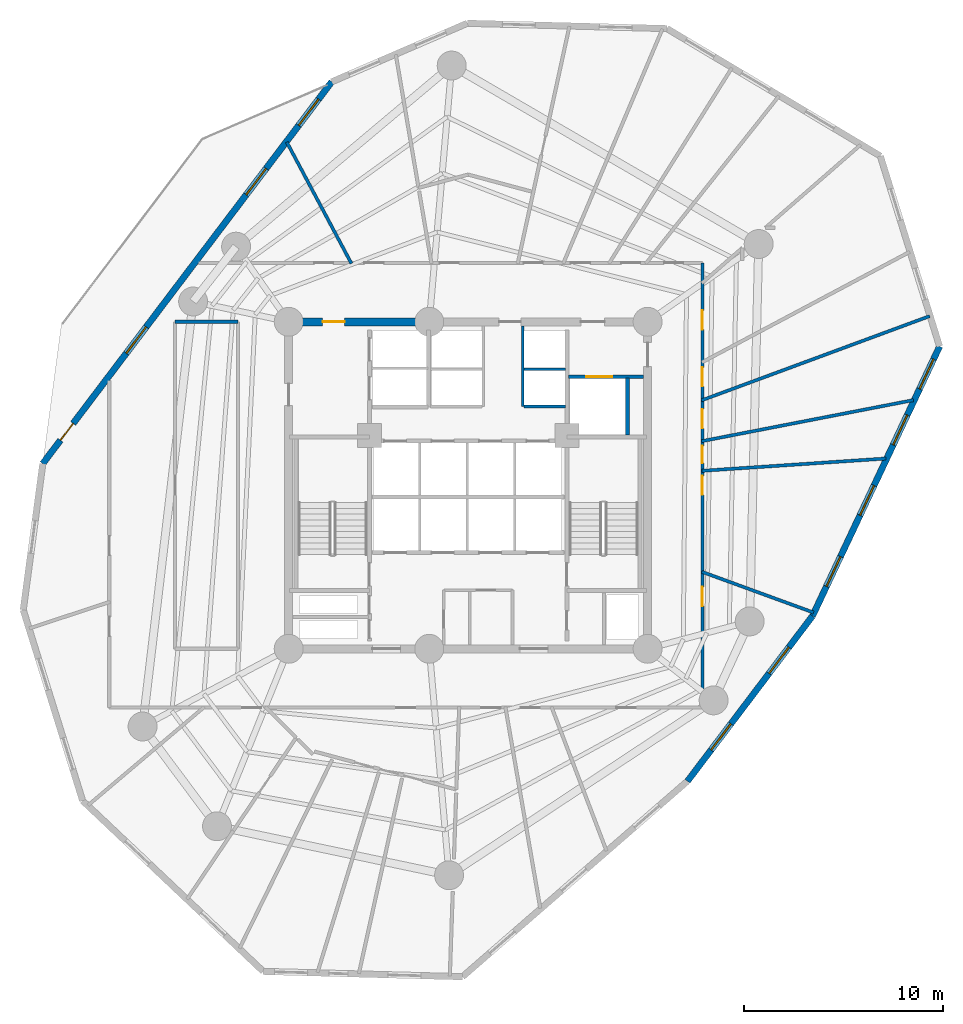
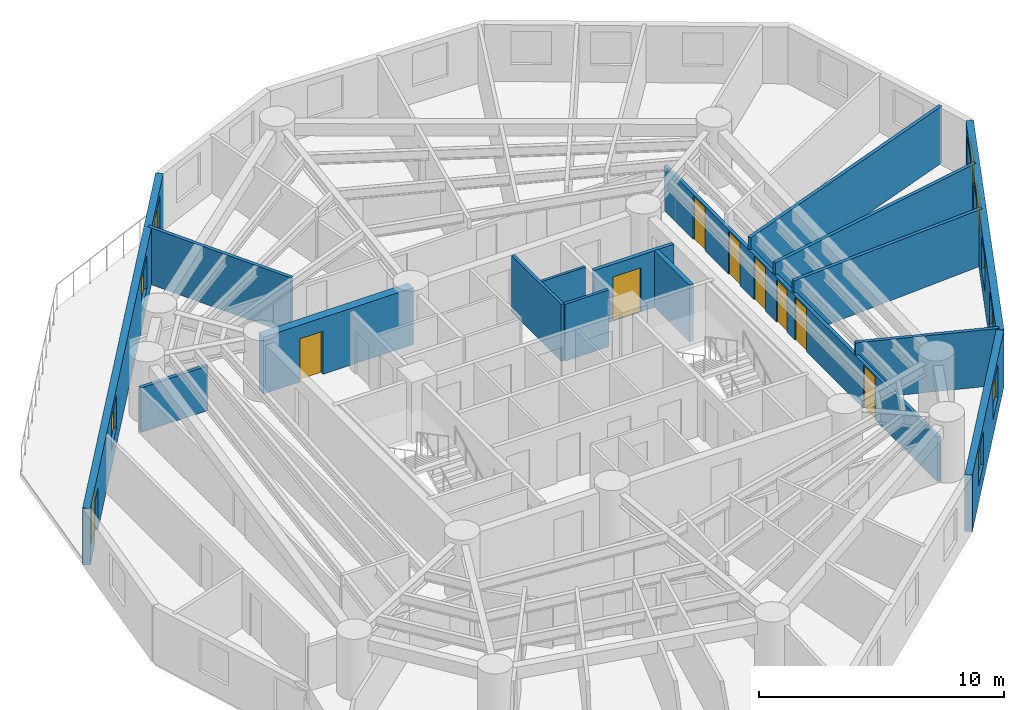
# One storey, part 5 of 9: 16 walls, 9 doors, 9 windows, 18 openings.
"""IFC4 building model written with IfcOpenShell, lengths in metres."""

from ifc_helpers import new_model, si_unit, direction, frame, frame_2d, origin, origin_with_axes, place, context, subcontext, project, spatial, rectangle, extrude, source, transform, mapped, material, layer, layer_set, type_object, element, fill, save


model = new_model("IFC4")

# Units and contexts
model_context = context("Model", 3, precision=1e-05, world=origin(), true_north=direction((0.0, 1.0)))
body_context = subcontext(model_context, "Body", "Model", "MODEL_VIEW")
ifc_project = project(units=[si_unit("LENGTHUNIT", "METRE"), si_unit("AREAUNIT", "SQUARE_METRE"), si_unit("VOLUMEUNIT", "CUBIC_METRE"), si_unit("PLANEANGLEUNIT", "RADIAN"), si_unit("MASSUNIT", "GRAM", prefix="KILO")], contexts=[model_context])

# Site, building, storey
site_placement = place(None, origin())
site = spatial("IfcSite", under=ifc_project, at=site_placement, CompositionType="ELEMENT")
building_placement = place(site_placement, origin())
building = spatial("IfcBuilding", under=site, at=building_placement, Name="Karkom Vertical University and Central Library", CompositionType="ELEMENT")
storey_placement = place(building_placement, frame((0.0, 0.0, 96.199951171875)))
storey = spatial("IfcBuildingStorey", under=building, at=storey_placement, Name="L25", CompositionType="ELEMENT", Elevation=96.199951171875)

# Wall, openings, windows
ifc_material_1 = material(Name="Brick-faced precast concrete C45/55", Category="masonry")
ifc_layer_1 = layer(ifc_material_1, 0.320068359375)
ifc_layer_set_1 = layer_set([ifc_layer_1], Name="Brick-faced precast concrete C45/55")
wall_type_1 = type_object("IfcWallType", Name="ENV-WL-BRK-320", PredefinedType="SOLIDWALL", material=ifc_layer_set_1)
wall_1_placement = place(storey_placement, frame((39.49951171875, 11.658203125, 0.0), z_axis=(0.0, 0.0, 1.0), x_axis=(0.603493536032, 0.797367889978, 0.0)))
wall_1 = element("IfcWall", 1, at=wall_1_placement, inside=storey, type_object=wall_type_1, Name="Level 25 Brick-Faced Precast Facade Wall 06", PredefinedType="SOLIDWALL", context=body_context, shape_type="SweptSolid", body=[
    extrude(rectangle(XDim=10.392822265625, YDim=0.320068359375, at=frame_2d((5.1962890625, 0.0))), origin(), (0.0, 0.0, 1.0), 2.824951171875),
])
opening_1_placement = place(wall_1_placement, frame((1.963134765625, 0.0, 0.85009765625)))
opening_1 = element("IfcOpeningElement", 2, at=opening_1_placement, cuts=wall_1, Name="Opening WN-06", PredefinedType="OPENING", context=body_context, shape_type="SweptSolid", body=[
    extrude(rectangle(XDim=1.64990234375, YDim=1.64990234375, at=frame_2d((0.824951171875, 0.824951171875))), frame((0.0, 0.169921875, 0.0), z_axis=(0.0, -1.0, 0.0), x_axis=(1.0, 0.0, 0.0)), (0.0, 0.0, 1.0), 0.340087890625),
])
opening_2_placement = place(wall_1_placement, frame((6.779541015625, 0.0, 0.85009765625)))
opening_2 = element("IfcOpeningElement", 3, at=opening_2_placement, cuts=wall_1, Name="Opening WN-06", PredefinedType="OPENING", context=body_context, shape_type="SweptSolid", body=[
    extrude(rectangle(XDim=1.64990234375, YDim=1.64990234375, at=frame_2d((0.824951171875, 0.824951171875))), frame((0.0, 0.169921875, 0.0), z_axis=(0.0, -1.0, 0.0), x_axis=(1.0, 0.0, 0.0)), (0.0, 0.0, 1.0), 0.340087890625),
])
ifc_material_2 = material(Name="Aluminium thermal-break frame with solar-control IGU", Category="aluminium")
window_type = type_object("IfcWindowType", Name="ENV-WIN-WN-06", PartitioningType="SINGLE_PANEL", PredefinedType="WINDOW", material=ifc_material_2)
shared_shape_1 = source(origin_with_axes(), body_context, "Body", "SweptSolid", [
    extrude(rectangle(XDim=1.64990234375, YDim=1.64990234375, at=frame_2d((0.824951171875, 0.824951171875))), frame((0.0, 0.030029296875, 0.0), z_axis=(0.0, -1.0, 0.0), x_axis=(1.0, 0.0, 0.0)), (0.0, 0.0, 1.0), 0.06005859375),
])
window_1_placement = place(opening_1_placement, origin())
window_1 = element("IfcWindow", 4, at=window_1_placement, inside=storey, type_object=window_type, Name="Level 25 Punched Window 6.1", OverallHeight=1.64990234375, OverallWidth=1.64990234375, PartitioningType="SINGLE_PANEL", PredefinedType="WINDOW", context=body_context, shape_type="MappedRepresentation", body=[
    mapped(shared_shape_1, transform((0.0, 0.0, 0.0), scale=1.0)),
])
fill(opening_1, window_1)
window_2_placement = place(opening_2_placement, origin())
window_2 = element("IfcWindow", 5, at=window_2_placement, inside=storey, type_object=window_type, Name="Level 25 Punched Window 6.2", OverallHeight=1.64990234375, OverallWidth=1.64990234375, PartitioningType="SINGLE_PANEL", PredefinedType="WINDOW", context=body_context, shape_type="MappedRepresentation", body=[
    mapped(shared_shape_1, transform((0.0, 0.0, 0.0), scale=1.0)),
])
fill(opening_2, window_2)

wall_2_placement = place(storey_placement, frame((45.771484375, 19.945068359375, 0.0), z_axis=(0.0, 0.0, 1.0), x_axis=(0.426458361985, 0.904507194827, 0.0)))
wall_2 = element("IfcWall", 6, at=wall_2_placement, inside=storey, type_object=wall_type_1, Name="Level 25 Brick-Faced Precast Facade Wall 07", PredefinedType="SOLIDWALL", context=body_context, shape_type="SweptSolid", body=[
    extrude(rectangle(XDim=14.94921875, YDim=0.320068359375, at=frame_2d((7.474609375, 0.0))), origin(), (0.0, 0.0, 1.0), 2.824951171875),
])
opening_3_placement = place(wall_2_placement, frame((1.641357421875, 0.0, 0.85009765625)))
opening_3 = element("IfcOpeningElement", 7, at=opening_3_placement, cuts=wall_2, Name="Opening WN-06", PredefinedType="OPENING", context=body_context, shape_type="SweptSolid", body=[
    extrude(rectangle(XDim=1.64990234375, YDim=1.64990234375, at=frame_2d((0.824951171875, 0.824951171875))), frame((0.0, 0.169921875, 0.0), z_axis=(0.0, -1.0, 0.0), x_axis=(1.0, 0.0, 0.0)), (0.0, 0.0, 1.0), 0.340087890625),
])
opening_4_placement = place(wall_2_placement, frame((5.583740234375, 0.0, 0.85009765625)))
opening_4 = element("IfcOpeningElement", 8, at=opening_4_placement, cuts=wall_2, Name="Opening WN-06", PredefinedType="OPENING", context=body_context, shape_type="SweptSolid", body=[
    extrude(rectangle(XDim=1.64990234375, YDim=1.64990234375, at=frame_2d((0.824951171875, 0.824951171875))), frame((0.0, 0.169921875, 0.0), z_axis=(0.0, -1.0, 0.0), x_axis=(1.0, 0.0, 0.0)), (0.0, 0.0, 1.0), 0.340087890625),
])
opening_5_placement = place(wall_2_placement, frame((9.491455078125, 0.0, 0.85009765625)))
opening_5 = element("IfcOpeningElement", 9, at=opening_5_placement, cuts=wall_2, Name="Opening WN-06", PredefinedType="OPENING", context=body_context, shape_type="SweptSolid", body=[
    extrude(rectangle(XDim=1.64990234375, YDim=1.64990234375, at=frame_2d((0.824951171875, 0.824951171875))), frame((0.0, 0.169921875, 0.0), z_axis=(0.0, -1.0, 0.0), x_axis=(1.0, 0.0, 0.0)), (0.0, 0.0, 1.0), 0.340087890625),
])
opening_6_placement = place(wall_2_placement, frame((12.586181640625, 0.0, 0.85009765625)))
opening_6 = element("IfcOpeningElement", 10, at=opening_6_placement, cuts=wall_2, Name="Opening WN-06", PredefinedType="OPENING", context=body_context, shape_type="SweptSolid", body=[
    extrude(rectangle(XDim=1.64990234375, YDim=1.64990234375, at=frame_2d((0.824951171875, 0.824951171875))), frame((0.0, 0.169921875, 0.0), z_axis=(0.0, -1.0, 0.0), x_axis=(1.0, 0.0, 0.0)), (0.0, 0.0, 1.0), 0.340087890625),
])
window_3_placement = place(opening_3_placement, origin())
window_3 = element("IfcWindow", 11, at=window_3_placement, inside=storey, type_object=window_type, Name="Level 25 Punched Window 7.1", OverallHeight=1.64990234375, OverallWidth=1.64990234375, PartitioningType="SINGLE_PANEL", PredefinedType="WINDOW", context=body_context, shape_type="MappedRepresentation", body=[
    mapped(shared_shape_1, transform((0.0, 0.0, 0.0), scale=1.0)),
])
fill(opening_3, window_3)
window_4_placement = place(opening_4_placement, origin())
window_4 = element("IfcWindow", 12, at=window_4_placement, inside=storey, type_object=window_type, Name="Level 25 Punched Window 7.2", OverallHeight=1.64990234375, OverallWidth=1.64990234375, PartitioningType="SINGLE_PANEL", PredefinedType="WINDOW", context=body_context, shape_type="MappedRepresentation", body=[
    mapped(shared_shape_1, transform((0.0, 0.0, 0.0), scale=1.0)),
])
fill(opening_4, window_4)
window_5_placement = place(opening_5_placement, origin())
window_5 = element("IfcWindow", 13, at=window_5_placement, inside=storey, type_object=window_type, Name="Level 25 Punched Window 7.3", OverallHeight=1.64990234375, OverallWidth=1.64990234375, PartitioningType="SINGLE_PANEL", PredefinedType="WINDOW", context=body_context, shape_type="MappedRepresentation", body=[
    mapped(shared_shape_1, transform((0.0, 0.0, 0.0), scale=1.0)),
])
fill(opening_5, window_5)
window_6_placement = place(opening_6_placement, origin())
window_6 = element("IfcWindow", 14, at=window_6_placement, inside=storey, type_object=window_type, Name="Level 25 Punched Window 7.4", OverallHeight=1.64990234375, OverallWidth=1.64990234375, PartitioningType="SINGLE_PANEL", PredefinedType="WINDOW", context=body_context, shape_type="MappedRepresentation", body=[
    mapped(shared_shape_1, transform((0.0, 0.0, 0.0), scale=1.0)),
])
fill(opening_6, window_6)

# Wall, openings, door, windows
wall_3_placement = place(storey_placement, frame((21.660400390625, 46.739501953125, 0.0), z_axis=(0.0, 0.0, 1.0), x_axis=(-0.603487207486, -0.797372679743, 0.0)))
wall_3 = element("IfcWall", 15, at=wall_3_placement, inside=storey, type_object=wall_type_1, Name="Level 25 Brick-Faced Precast Facade Wall 12", PredefinedType="SOLIDWALL", context=body_context, shape_type="SweptSolid", body=[
    extrude(rectangle(XDim=24.021728515625, YDim=0.320068359375, at=frame_2d((12.0107421875, 0.0))), origin(), (0.0, 0.0, 1.0), 2.824951171875),
])
opening_7_placement = place(wall_3_placement, frame((1.101318359375, 0.0, 0.85009765625)))
opening_7 = element("IfcOpeningElement", 16, at=opening_7_placement, cuts=wall_3, Name="Opening WN-06", PredefinedType="OPENING", context=body_context, shape_type="SweptSolid", body=[
    extrude(rectangle(XDim=1.64990234375, YDim=1.64990234375, at=frame_2d((0.824951171875, 0.824951171875))), frame((0.0, 0.169921875, 0.0), z_axis=(0.0, -1.0, 0.0), x_axis=(1.0, 0.0, 0.0)), (0.0, 0.0, 1.0), 0.340087890625),
])
opening_8_placement = place(wall_3_placement, frame((5.4619140625, 0.0, 0.85009765625)))
opening_8 = element("IfcOpeningElement", 17, at=opening_8_placement, cuts=wall_3, Name="Opening WN-06", PredefinedType="OPENING", context=body_context, shape_type="SweptSolid", body=[
    extrude(rectangle(XDim=1.64990234375, YDim=1.64990234375, at=frame_2d((0.824951171875, 0.824951171875))), frame((0.0, 0.169921875, 0.0), z_axis=(0.0, -1.0, 0.0), x_axis=(1.0, 0.0, 0.0)), (0.0, 0.0, 1.0), 0.340087890625),
])
opening_9_placement = place(wall_3_placement, frame((15.427001953125, 0.0, 0.85009765625)))
opening_9 = element("IfcOpeningElement", 18, at=opening_9_placement, cuts=wall_3, Name="Opening WN-06", PredefinedType="OPENING", context=body_context, shape_type="SweptSolid", body=[
    extrude(rectangle(XDim=1.64990234375, YDim=1.64990234375, at=frame_2d((0.824951171875, 0.824951171875))), frame((0.0, 0.169921875, 0.0), z_axis=(0.0, -1.0, 0.0), x_axis=(1.0, 0.0, 0.0)), (0.0, 0.0, 1.0), 0.340087890625),
])
opening_10_placement = place(wall_3_placement, frame((21.4951171875, 0.0, 0.0)))
opening_10 = element("IfcOpeningElement", 19, at=opening_10_placement, cuts=wall_3, Name="Opening TD-1", PredefinedType="OPENING", context=body_context, shape_type="SweptSolid", body=[
    extrude(rectangle(XDim=1.050048828125, YDim=2.1201171875, at=frame_2d((0.52490234375, 1.06005859375))), frame((0.0, 0.169921875, 0.0), z_axis=(0.0, -1.0, 0.0), x_axis=(1.0, 0.0, 0.0)), (0.0, 0.0, 1.0), 0.340087890625),
])
ifc_material_3 = material(Name="Thermally broken glazed aluminium terrace door", Category="aluminium")
door_type_1 = type_object("IfcDoorType", Name="ENV-DR-TERR", OperationType="NOTDEFINED", PredefinedType="DOOR", material=ifc_material_3)
shared_shape_2 = source(origin_with_axes(), body_context, "Body", "SweptSolid", [
    extrude(rectangle(XDim=1.050048828125, YDim=2.1201171875, at=frame_2d((0.52490234375, 1.06005859375))), frame((0.0, 0.02490234375, 0.0), z_axis=(0.0, -1.0, 0.0), x_axis=(1.0, 0.0, 0.0)), (0.0, 0.0, 1.0), 0.050048828125),
])
door_1_placement = place(opening_10_placement, origin())
door_1 = element("IfcDoor", 20, at=door_1_placement, inside=storey, type_object=door_type_1, Name="Level 25 Outdoor Terrace Access Door", OperationType="SINGLE_SWING_RIGHT", OverallHeight=2.1201171875, OverallWidth=1.050048828125, PredefinedType="DOOR", context=body_context, shape_type="MappedRepresentation", body=[
    mapped(shared_shape_2, transform((0.0, 0.0, 0.0), scale=1.0)),
])
fill(opening_10, door_1)
window_7_placement = place(opening_7_placement, origin())
window_7 = element("IfcWindow", 21, at=window_7_placement, inside=storey, type_object=window_type, Name="Level 25 Punched Window 12.1", OverallHeight=1.64990234375, OverallWidth=1.64990234375, PartitioningType="SINGLE_PANEL", PredefinedType="WINDOW", context=body_context, shape_type="MappedRepresentation", body=[
    mapped(shared_shape_1, transform((0.0, 0.0, 0.0), scale=1.0)),
])
fill(opening_7, window_7)
window_8_placement = place(opening_8_placement, origin())
window_8 = element("IfcWindow", 22, at=window_8_placement, inside=storey, type_object=window_type, Name="Level 25 Punched Window 12.2", OverallHeight=1.64990234375, OverallWidth=1.64990234375, PartitioningType="SINGLE_PANEL", PredefinedType="WINDOW", context=body_context, shape_type="MappedRepresentation", body=[
    mapped(shared_shape_1, transform((0.0, 0.0, 0.0), scale=1.0)),
])
fill(opening_8, window_8)
window_9_placement = place(opening_9_placement, origin())
window_9 = element("IfcWindow", 23, at=window_9_placement, inside=storey, type_object=window_type, Name="Level 25 Punched Window 12.3", OverallHeight=1.64990234375, OverallWidth=1.64990234375, PartitioningType="SINGLE_PANEL", PredefinedType="WINDOW", context=body_context, shape_type="MappedRepresentation", body=[
    mapped(shared_shape_1, transform((0.0, 0.0, 0.0), scale=1.0)),
])
fill(opening_9, window_9)

# Wall, openings, doors
ifc_material_4 = material(Name="Insulated metal-stud drywall 160mm", Category="gypsum")
ifc_layer_2 = layer(ifc_material_4, 0.159912109375)
ifc_layer_set_2 = layer_set([ifc_layer_2], Name="Insulated metal-stud drywall 160mm")
wall_type_2 = type_object("IfcWallType", Name="INT-WL-COR-160", PredefinedType="PARTITIONING", material=ifc_layer_set_2)
wall_4_placement = place(storey_placement, frame((40.25, 37.64990234375, 0.0), z_axis=(0.0, 0.0, 1.0), x_axis=(0.0, -1.0, 0.0)))
wall_4 = element("IfcWall", 24, at=wall_4_placement, inside=storey, type_object=wall_type_2, Name="Level 25 Interior Partition Wall L25-CORW-CW-004", PredefinedType="PARTITIONING", context=body_context, shape_type="SweptSolid", body=[
    extrude(rectangle(XDim=22.2998046875, YDim=0.159912109375, at=frame_2d((11.14990234375, 0.0))), origin(), (0.0, 0.0, 1.0), 2.22509765625),
])
opening_11_placement = place(wall_4_placement, frame((16.25, 0.0, 0.0)))
opening_11 = element("IfcOpeningElement", 25, at=opening_11_placement, cuts=wall_4, Name="Opening FD-RM2", PredefinedType="OPENING", context=body_context, shape_type="SweptSolid", body=[
    extrude(rectangle(XDim=0.9599609375, YDim=2.14990234375, at=frame_2d((0.47998046875, 1.074951171875))), frame((0.0, 0.08984375, 0.0), z_axis=(0.0, -1.0, 0.0), x_axis=(1.0, 0.0, 0.0)), (0.0, 0.0, 1.0), 0.179931640625),
])
opening_12_placement = place(wall_4_placement, frame((10.675048828125, 0.0, 0.0)))
opening_12 = element("IfcOpeningElement", 26, at=opening_12_placement, cuts=wall_4, Name="Opening D-RM1", PredefinedType="OPENING", context=body_context, shape_type="SweptSolid", body=[
    extrude(rectangle(XDim=0.949951171875, YDim=2.14990234375, at=frame_2d((0.47509765625, 1.074951171875))), frame((0.0, 0.08984375, 0.0), z_axis=(0.0, -1.0, 0.0), x_axis=(1.0, 0.0, 0.0)), (0.0, 0.0, 1.0), 0.179931640625),
])
opening_13_placement = place(wall_4_placement, frame((9.176513671875, 0.0, 0.0)))
opening_13 = element("IfcOpeningElement", 27, at=opening_13_placement, cuts=wall_4, Name="Opening FD-BTH1", PredefinedType="OPENING", context=body_context, shape_type="SweptSolid", body=[
    extrude(rectangle(XDim=0.860107421875, YDim=2.10009765625, at=frame_2d((0.43017578125, 1.050048828125))), frame((0.0, 0.08984375, 0.0), z_axis=(0.0, -1.0, 0.0), x_axis=(1.0, 0.0, 0.0)), (0.0, 0.0, 1.0), 0.179931640625),
])
opening_14_placement = place(wall_4_placement, frame((7.330078125, 0.0, 0.0)))
opening_14 = element("IfcOpeningElement", 28, at=opening_14_placement, cuts=wall_4, Name="Opening FD-RM2", PredefinedType="OPENING", context=body_context, shape_type="SweptSolid", body=[
    extrude(rectangle(XDim=0.9599609375, YDim=2.14990234375, at=frame_2d((0.47998046875, 1.074951171875))), frame((0.0, 0.08984375, 0.0), z_axis=(0.0, -1.0, 0.0), x_axis=(1.0, 0.0, 0.0)), (0.0, 0.0, 1.0), 0.179931640625),
])
opening_15_placement = place(wall_4_placement, frame((5.239990234375, 0.0, 0.0)))
opening_15 = element("IfcOpeningElement", 29, at=opening_15_placement, cuts=wall_4, Name="Opening D-RM1", PredefinedType="OPENING", context=body_context, shape_type="SweptSolid", body=[
    extrude(rectangle(XDim=0.949951171875, YDim=2.14990234375, at=frame_2d((0.47509765625, 1.074951171875))), frame((0.0, 0.08984375, 0.0), z_axis=(0.0, -1.0, 0.0), x_axis=(1.0, 0.0, 0.0)), (0.0, 0.0, 1.0), 0.179931640625),
])
opening_16_placement = place(wall_4_placement, frame((2.3798828125, 0.0, 0.0)))
opening_16 = element("IfcOpeningElement", 30, at=opening_16_placement, cuts=wall_4, Name="Opening FD-RM2", PredefinedType="OPENING", context=body_context, shape_type="SweptSolid", body=[
    extrude(rectangle(XDim=0.9599609375, YDim=2.14990234375, at=frame_2d((0.47998046875, 1.074951171875))), frame((0.0, 0.08984375, 0.0), z_axis=(0.0, -1.0, 0.0), x_axis=(1.0, 0.0, 0.0)), (0.0, 0.0, 1.0), 0.179931640625),
])
ifc_material_5 = material(Name="Fire-rated oak veneer door", Category="wood")
door_type_2 = type_object("IfcDoorType", Name="INT-DR-FRM2", OperationType="NOTDEFINED", PredefinedType="DOOR", material=ifc_material_5)
shared_shape_3 = source(origin_with_axes(), body_context, "Body", "SweptSolid", [
    extrude(rectangle(XDim=0.9599609375, YDim=2.14990234375, at=frame_2d((0.47998046875, 1.074951171875))), frame((0.0, 0.02490234375, 0.0), z_axis=(0.0, -1.0, 0.0), x_axis=(1.0, 0.0, 0.0)), (0.0, 0.0, 1.0), 0.050048828125),
])
door_2_placement = place(opening_11_placement, origin())
door_2 = element("IfcDoor", 31, at=door_2_placement, inside=storey, type_object=door_type_2, Name="Level 25 Room Entry Door 110", OperationType="SINGLE_SWING_RIGHT", OverallHeight=2.14990234375, OverallWidth=0.9599609375, PredefinedType="DOOR", context=body_context, shape_type="MappedRepresentation", body=[
    mapped(shared_shape_3, transform((0.0, 0.0, 0.0), scale=1.0)),
])
fill(opening_11, door_2)
door_3_placement = place(opening_14_placement, origin())
door_3 = element("IfcDoor", 32, at=door_3_placement, inside=storey, type_object=door_type_2, Name="Level 25 Room Entry Door 140", OperationType="SINGLE_SWING_LEFT", OverallHeight=2.14990234375, OverallWidth=0.9599609375, PredefinedType="DOOR", context=body_context, shape_type="MappedRepresentation", body=[
    mapped(shared_shape_3, transform((0.0, 0.0, 0.0), scale=1.0)),
])
fill(opening_14, door_3)
door_4_placement = place(opening_16_placement, origin())
door_4 = element("IfcDoor", 33, at=door_4_placement, inside=storey, type_object=door_type_2, Name="Level 25 Room Entry Door 160", OperationType="SINGLE_SWING_LEFT", OverallHeight=2.14990234375, OverallWidth=0.9599609375, PredefinedType="DOOR", context=body_context, shape_type="MappedRepresentation", body=[
    mapped(shared_shape_3, transform((0.0, 0.0, 0.0), scale=1.0)),
])
fill(opening_16, door_4)
ifc_material_6 = material(Name="Fire-rated moisture-resistant oak door", Category="wood")
door_type_3 = type_object("IfcDoorType", Name="INT-DR-FBTH1", OperationType="NOTDEFINED", PredefinedType="DOOR", material=ifc_material_6)
shared_shape_4 = source(origin_with_axes(), body_context, "Body", "SweptSolid", [
    extrude(rectangle(XDim=0.860107421875, YDim=2.10009765625, at=frame_2d((0.43017578125, 1.050048828125))), frame((0.0, 0.02490234375, 0.0), z_axis=(0.0, -1.0, 0.0), x_axis=(1.0, 0.0, 0.0)), (0.0, 0.0, 1.0), 0.050048828125),
])
door_5_placement = place(opening_13_placement, origin())
door_5 = element("IfcDoor", 34, at=door_5_placement, inside=storey, type_object=door_type_3, Name="Level 25 Room Entry Door 130", OperationType="SINGLE_SWING_RIGHT", OverallHeight=2.10009765625, OverallWidth=0.860107421875, PredefinedType="DOOR", context=body_context, shape_type="MappedRepresentation", body=[
    mapped(shared_shape_4, transform((0.0, 0.0, 0.0), scale=1.0)),
])
fill(opening_13, door_5)
ifc_material_7 = material(Name="Solid-core oak veneer door", Category="wood")
door_type_4 = type_object("IfcDoorType", Name="INT-DR-RM1", OperationType="NOTDEFINED", PredefinedType="DOOR", material=ifc_material_7)
shared_shape_5 = source(origin_with_axes(), body_context, "Body", "SweptSolid", [
    extrude(rectangle(XDim=0.949951171875, YDim=2.14990234375, at=frame_2d((0.47509765625, 1.074951171875))), frame((0.0, 0.02490234375, 0.0), z_axis=(0.0, -1.0, 0.0), x_axis=(1.0, 0.0, 0.0)), (0.0, 0.0, 1.0), 0.050048828125),
])
door_6_placement = place(opening_12_placement, origin())
door_6 = element("IfcDoor", 35, at=door_6_placement, inside=storey, type_object=door_type_4, Name="Level 25 Room Entry Door 120", OperationType="SINGLE_SWING_LEFT", OverallHeight=2.14990234375, OverallWidth=0.949951171875, PredefinedType="DOOR", context=body_context, shape_type="MappedRepresentation", body=[
    mapped(shared_shape_5, transform((0.0, 0.0, 0.0), scale=1.0)),
])
fill(opening_12, door_6)
door_7_placement = place(opening_15_placement, origin())
door_7 = element("IfcDoor", 36, at=door_7_placement, inside=storey, type_object=door_type_4, Name="Level 25 Room Entry Door 150", OperationType="SINGLE_SWING_RIGHT", OverallHeight=2.14990234375, OverallWidth=0.949951171875, PredefinedType="DOOR", context=body_context, shape_type="MappedRepresentation", body=[
    mapped(shared_shape_5, transform((0.0, 0.0, 0.0), scale=1.0)),
])
fill(opening_15, door_7)

# Walls
wall_5_placement = place(storey_placement, frame((40.207763671875, 30.76025390625, 0.0), z_axis=(0.0, 0.0, 1.0), x_axis=(0.938056038408, 0.346483576533, 0.0)))
element("IfcWall", 37, at=wall_5_placement, inside=storey, type_object=wall_type_2, Name="Level 25 Interior Partition Wall L25-PW-021", PredefinedType="PARTITIONING", context=body_context, shape_type="SweptSolid", body=[
    extrude(rectangle(XDim=12.195556640625, YDim=0.159912109375, at=frame_2d((6.09765625, 0.0))), origin(), (0.0, 0.0, 1.0), 2.824951171875),
])
wall_6_placement = place(storey_placement, frame((40.205810546875, 28.71044921875, 0.0), z_axis=(0.0, 0.0, 1.0), x_axis=(0.981681749556, 0.190528062468, 0.0)))
element("IfcWall", 38, at=wall_6_placement, inside=storey, type_object=wall_type_2, Name="Level 25 Interior Partition Wall L25-PW-020", PredefinedType="PARTITIONING", context=body_context, shape_type="SweptSolid", body=[
    extrude(rectangle(XDim=10.82763671875, YDim=0.159912109375, at=frame_2d((5.413818359375, 0.0))), origin(), (0.0, 0.0, 1.0), 2.824951171875),
])
wall_7_placement = place(storey_placement, frame((40.22021484375, 27.224853515625, 0.0), z_axis=(0.0, 0.0, 1.0), x_axis=(0.997763638744, 0.066841014355, 0.0)))
element("IfcWall", 39, at=wall_7_placement, inside=storey, type_object=wall_type_2, Name="Level 25 Interior Partition Wall L25-PW-019", PredefinedType="PARTITIONING", context=body_context, shape_type="SweptSolid", body=[
    extrude(rectangle(XDim=9.25927734375, YDim=0.159912109375, at=frame_2d((4.629638671875, 0.0))), origin(), (0.0, 0.0, 1.0), 2.824951171875),
])
wall_8_placement = place(storey_placement, frame((22.645263671875, 37.62353515625, 0.0), z_axis=(0.0, 0.0, 1.0), x_axis=(-0.469987058367, 0.882673305911, 0.0)))
element("IfcWall", 40, at=wall_8_placement, inside=storey, type_object=wall_type_2, Name="Level 25 Interior Partition Wall L25-PW-035", PredefinedType="PARTITIONING", context=body_context, shape_type="SweptSolid", body=[
    extrude(rectangle(XDim=6.893798828125, YDim=0.159912109375, at=frame_2d((3.44677734375, 0.0))), origin(), (0.0, 0.0, 1.0), 2.824951171875),
])
wall_9_placement = place(storey_placement, frame((40.2216796875, 22.160888671875, 0.0), z_axis=(0.0, 0.0, 1.0), x_axis=(0.939457123794, -0.342666474217, 0.0)))
element("IfcWall", 41, at=wall_9_placement, inside=storey, type_object=wall_type_2, Name="Level 25 Interior Partition Wall L25-PW-018", PredefinedType="PARTITIONING", context=body_context, shape_type="SweptSolid", body=[
    extrude(rectangle(XDim=5.964111328125, YDim=0.159912109375, at=frame_2d((2.98193359375, 0.0))), origin(), (0.0, 0.0, 1.0), 2.824951171875),
])
wall_10_placement = place(storey_placement, frame((16.949951171875, 34.699951171875, 0.0), z_axis=(0.0, 0.0, 1.0), x_axis=(-1.0, 0.0, 0.0)))
element("IfcWall", 42, at=wall_10_placement, inside=storey, type_object=wall_type_2, Name="Level 25 Interior Partition Wall L25-CORW-CW-005", PredefinedType="PARTITIONING", context=body_context, shape_type="SweptSolid", body=[
    extrude(rectangle(XDim=3.14990234375, YDim=0.159912109375, at=frame_2d((1.574951171875, 0.0))), origin(), (0.0, 0.0, 1.0), 2.22509765625),
])
ifc_material_8 = material(Name="Moisture-resistant drywall 120mm", Category="gypsum")
ifc_layer_3 = layer(ifc_material_8, 0.1201171875)
ifc_layer_set_3 = layer_set([ifc_layer_3], Name="Moisture-resistant drywall 120mm")
wall_type_3 = type_object("IfcWallType", Name="INT-WL-INT-120H", PredefinedType="PARTITIONING", material=ifc_layer_set_3)
wall_11_placement = place(storey_placement, frame((31.300048828125, 32.320068359375, 0.0), z_axis=(0.0, 0.0, 1.0), x_axis=(1.0, 0.0, 0.0)))
element("IfcWall", 43, at=wall_11_placement, inside=storey, type_object=wall_type_3, Name="Level 25 Interior Partition Wall L25-CW-PH-ME", PredefinedType="PARTITIONING", context=body_context, shape_type="SweptSolid", body=[
    extrude(rectangle(XDim=2.074951171875, YDim=0.1201171875, at=frame_2d((1.03759765625, 0.0))), origin(), (0.0, 0.0, 1.0), 2.824951171875),
])
ifc_material_9 = material(Name="Metal-stud gypsum partition 140mm", Category="gypsum")
ifc_layer_4 = layer(ifc_material_9, 0.139892578125)
ifc_layer_set_4 = layer_set([ifc_layer_4], Name="Metal-stud gypsum partition 140mm")
wall_type_4 = type_object("IfcWallType", Name="INT-WL-SUB-140H", PredefinedType="PARTITIONING", material=ifc_layer_set_4)
wall_12_placement = place(storey_placement, frame((31.239990234375, 30.449951171875, 0.0), z_axis=(0.0, 0.0, 1.0), x_axis=(0.0, 1.0, 0.0)))
element("IfcWall", 44, at=wall_12_placement, inside=storey, type_object=wall_type_4, Name="Level 25 Interior Partition Wall L25-CW-PH-E", PredefinedType="PARTITIONING", context=body_context, shape_type="SweptSolid", body=[
    extrude(rectangle(XDim=4.04296875, YDim=0.139892578125, at=frame_2d((2.021484375, 0.0))), origin(), (0.0, 0.0, 1.0), 2.824951171875),
])
wall_13_placement = place(storey_placement, frame((31.300048828125, 30.449951171875, 0.0), z_axis=(0.0, 0.0, 1.0), x_axis=(1.0, 0.0, 0.0)))
element("IfcWall", 45, at=wall_13_placement, inside=storey, type_object=wall_type_4, Name="Level 25 Interior Partition Wall L25-CW-PH-S2", PredefinedType="PARTITIONING", context=body_context, shape_type="SweptSolid", body=[
    extrude(rectangle(XDim=2.074951171875, YDim=0.139892578125, at=frame_2d((1.03759765625, 0.0))), origin(), (0.0, 0.0, 1.0), 2.824951171875),
])

# Wall, opening, door
ifc_material_10 = material(Name="Twin-stud acoustic drywall 180mm", Category="gypsum")
ifc_layer_5 = layer(ifc_material_10, 0.179931640625)
ifc_layer_set_5 = layer_set([ifc_layer_5], Name="Twin-stud acoustic drywall 180mm")
wall_type_5 = type_object("IfcWallType", Name="INT-WL-TEN-180F", PredefinedType="PARTITIONING", material=ifc_layer_set_5)
wall_14_placement = place(storey_placement, frame((33.534912109375, 31.949951171875, 0.0), z_axis=(0.0, 0.0, 1.0), x_axis=(1.0, 0.0, 0.0)))
wall_14 = element("IfcWall", 46, at=wall_14_placement, inside=storey, type_object=wall_type_5, Name="Level 25 Interior Partition Wall L25-CW-SVL-N", PredefinedType="PARTITIONING", context=body_context, shape_type="SweptSolid", body=[
    extrude(rectangle(XDim=3.7587890625, YDim=0.179931640625, at=frame_2d((1.87939453125, 0.0))), origin(), (0.0, 0.0, 1.0), 2.824951171875),
])
opening_17_placement = place(wall_14_placement, frame((0.89990234375, 0.0, 0.0)))
opening_17 = element("IfcOpeningElement", 47, at=opening_17_placement, cuts=wall_14, Name="Opening LD-SV1", PredefinedType="OPENING", context=body_context, shape_type="SweptSolid", body=[
    extrude(rectangle(XDim=1.300048828125, YDim=2.199951171875, at=frame_2d((0.64990234375, 1.10009765625))), frame((0.0, 0.10009765625, 0.0), z_axis=(0.0, -1.0, 0.0), x_axis=(1.0, 0.0, 0.0)), (0.0, 0.0, 1.0), 0.199951171875),
])
ifc_material_11 = material(Name="Brushed stainless-steel landing door", Category="steel")
door_type_5 = type_object("IfcDoorType", Name="INT-DR-LD-SV1", OperationType="SLIDING_TO_LEFT", PredefinedType="DOOR", material=ifc_material_11)
shared_shape_6 = source(origin_with_axes(), body_context, "Body", "SweptSolid", [
    extrude(rectangle(XDim=1.300048828125, YDim=2.199951171875, at=frame_2d((0.64990234375, 1.10009765625))), frame((0.0, 0.02490234375, 0.0), z_axis=(0.0, -1.0, 0.0), x_axis=(1.0, 0.0, 0.0)), (0.0, 0.0, 1.0), 0.050048828125),
])
door_8_placement = place(opening_17_placement, origin())
door_8 = element("IfcDoor", 48, at=door_8_placement, inside=storey, type_object=door_type_5, Name="Level 25 Service Lift Landing Door LD-SV1", OperationType="SLIDING_TO_LEFT", OverallHeight=2.199951171875, OverallWidth=1.300048828125, PredefinedType="DOOR", context=body_context, shape_type="MappedRepresentation", body=[
    mapped(shared_shape_6, transform((0.0, 0.0, 0.0), scale=1.0)),
])
fill(opening_17, door_8)

ifc_material_12 = material(Name="Concrete C50/60", Category="concrete")
ifc_layer_6 = layer(ifc_material_12, 0.39990234375)
ifc_layer_set_6 = layer_set([ifc_layer_6], Name="Concrete C50/60")
wall_type_6 = type_object("IfcWallType", Name="STR-WL-CW-400", PredefinedType="SHEAR", material=ifc_layer_set_6)
wall_15_placement = place(storey_placement, frame((26.550048828125, 34.699951171875, 0.0), z_axis=(0.0, 0.0, 1.0), x_axis=(-1.0, 0.0, 0.0)))
wall_15 = element("IfcWall", 49, at=wall_15_placement, inside=storey, type_object=wall_type_6, Name="Level 25 Central Core Shear Wall NW2", PredefinedType="SHEAR", context=body_context, shape_type="SweptSolid", body=[
    extrude(rectangle(XDim=7.050048828125, YDim=0.39990234375, at=frame_2d((3.52490234375, 0.0))), origin(), (0.0, 0.0, 1.0), 2.824951171875),
])
opening_18_placement = place(wall_15_placement, frame((4.25, 0.0, 0.0)))
opening_18 = element("IfcOpeningElement", 50, at=opening_18_placement, cuts=wall_15, Name="Opening FD-FFL", PredefinedType="OPENING", context=body_context, shape_type="SweptSolid", body=[
    extrude(rectangle(XDim=1.10009765625, YDim=2.14990234375, at=frame_2d((0.550048828125, 1.074951171875))), frame((0.0, 0.2099609375, 0.0), z_axis=(0.0, -1.0, 0.0), x_axis=(1.0, 0.0, 0.0)), (0.0, 0.0, 1.0), 0.419921875),
])
ifc_material_13 = material(Name="Painted steel smoke-seal fire door", Category="steel")
door_type_6 = type_object("IfcDoorType", Name="INT-DR-FFL", OperationType="NOTDEFINED", PredefinedType="DOOR", material=ifc_material_13)
shared_shape_7 = source(origin_with_axes(), body_context, "Body", "SweptSolid", [
    extrude(rectangle(XDim=1.10009765625, YDim=2.14990234375, at=frame_2d((0.550048828125, 1.074951171875))), frame((0.0, 0.02490234375, 0.0), z_axis=(0.0, -1.0, 0.0), x_axis=(1.0, 0.0, 0.0)), (0.0, 0.0, 1.0), 0.050048828125),
])
door_9_placement = place(opening_18_placement, origin())
door_9 = element("IfcDoor", 51, at=door_9_placement, inside=storey, type_object=door_type_6, Name="Level 25 Firefighting Lobby Door", OperationType="SINGLE_SWING_LEFT", OverallHeight=2.14990234375, OverallWidth=1.10009765625, PredefinedType="DOOR", context=body_context, shape_type="MappedRepresentation", body=[
    mapped(shared_shape_7, transform((0.0, 0.0, 0.0), scale=1.0)),
])
fill(opening_18, door_9)

# Wall
ifc_material_14 = material(Name="Concrete C45/55", Category="concrete")
ifc_layer_7 = layer(ifc_material_14, 0.199951171875)
ifc_layer_set_7 = layer_set([ifc_layer_7], Name="Concrete C45/55")
wall_type_7 = type_object("IfcWallType", Name="STR-WL-ST-200", PredefinedType="SHEAR", material=ifc_layer_set_7)
wall_16_placement = place(storey_placement, frame((36.47998046875, 29.02001953125, 0.0), z_axis=(0.0, 0.0, 1.0), x_axis=(0.0, 1.0, 0.0)))
element("IfcWall", 52, at=wall_16_placement, inside=storey, type_object=wall_type_7, Name="Level 25 Core Shaft Wall L25-CW-SVL-E", PredefinedType="SHEAR", context=body_context, shape_type="SweptSolid", body=[
    extrude(rectangle(XDim=2.85986328125, YDim=0.199951171875, at=frame_2d((1.429931640625, 0.0))), origin(), (0.0, 0.0, 1.0), 2.824951171875),
])

save(model, "model.ifc")
